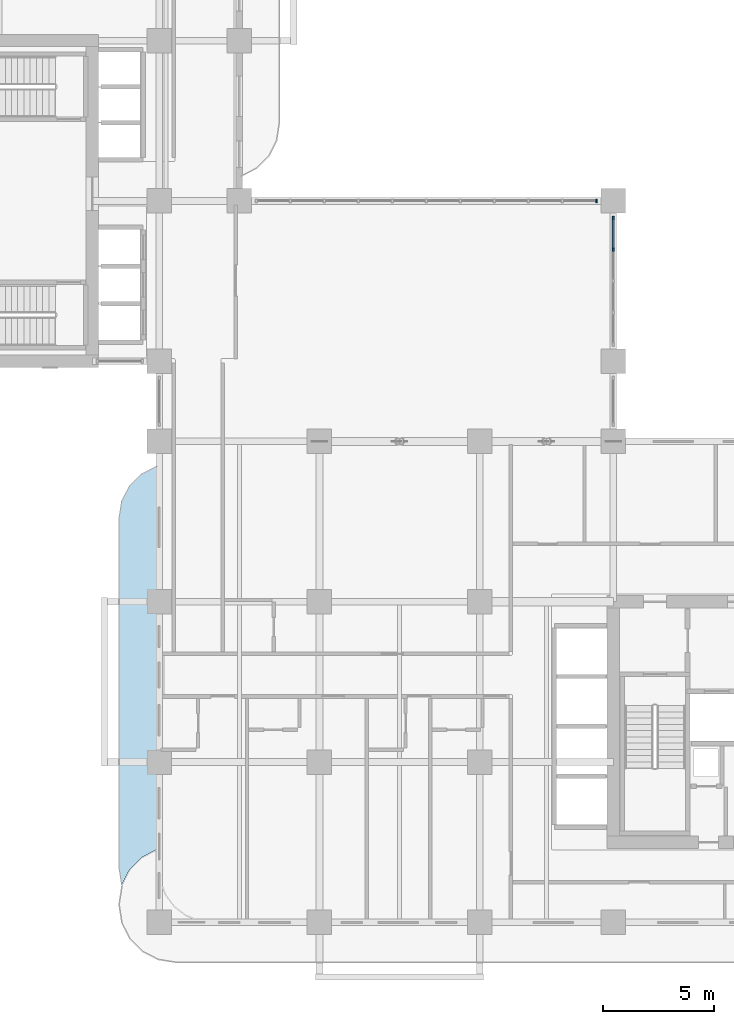
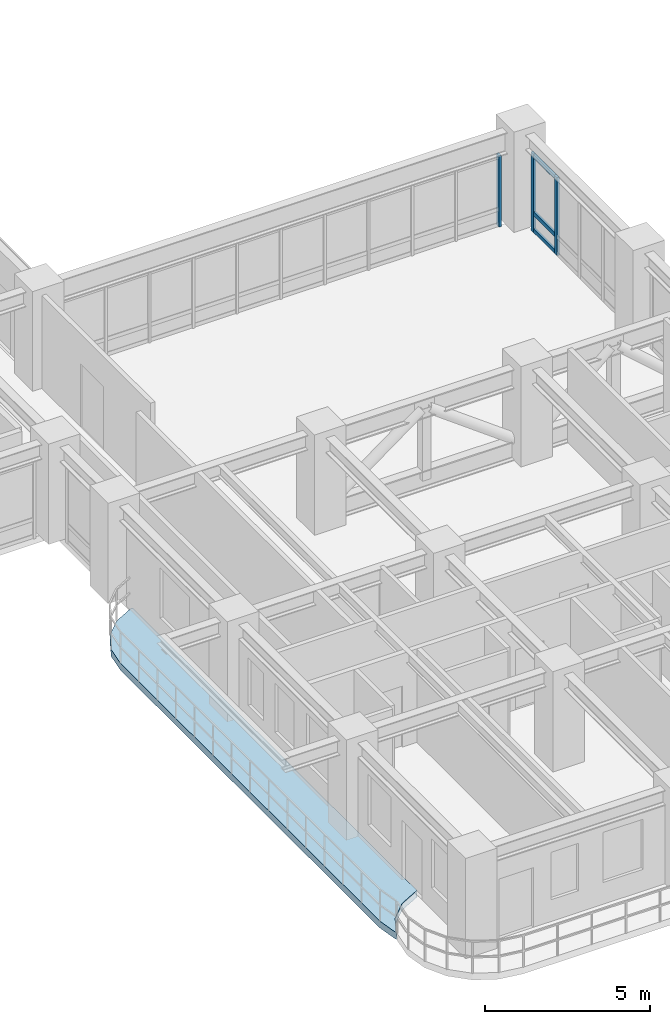
# One storey, part 7 of 21: 6 members, 1 slab, 2 elements without a shape of their own.
"""IFC4 building model written with IfcOpenShell, lengths in metres."""

from ifc_helpers import new_model, si_unit, derived_unit, direction, frame, origin, origin_2d, place, context, subcontext, project, spatial, polyline, rectangle, outline, extrude, source, transform, mapped, material, layer, layer_set, material_profile, profile_set, type_object, element, aggregate, save


model = new_model("IFC4")

# Units and contexts
model_context = context("Model", 3, precision=1e-05, world=origin(), true_north=direction((0.0, 1.0)))
body_context = subcontext(model_context, "Body", "Model", "MODEL_VIEW")
ifc_project = project(units=[si_unit("LENGTHUNIT", "METRE"), si_unit("AREAUNIT", "SQUARE_METRE"), si_unit("VOLUMEUNIT", "CUBIC_METRE"), si_unit("PLANEANGLEUNIT", "RADIAN"), si_unit("MASSUNIT", "GRAM", prefix="KILO"), si_unit("THERMODYNAMICTEMPERATUREUNIT", "KELVIN"), si_unit("POWERUNIT", "WATT"), derived_unit("THERMALTRANSMITTANCEUNIT", [(si_unit("POWERUNIT", "WATT"), 1), (si_unit("AREAUNIT", "SQUARE_METRE"), -1), (si_unit("THERMODYNAMICTEMPERATUREUNIT", "KELVIN"), -1)])], contexts=[model_context])

# Site, building, storey
site_placement = place(None, origin())
site = spatial("IfcSite", under=ifc_project, at=site_placement, CompositionType="ELEMENT")
building_placement = place(site_placement, origin())
building = spatial("IfcBuilding", under=site, at=building_placement, Name="Zahravan Archway Hotel and Residences", CompositionType="ELEMENT")
storey_placement = place(building_placement, frame((0.0, 0.0, 65.699951171875)))
storey = spatial("IfcBuildingStorey", under=building, at=storey_placement, Name="L15", CompositionType="ELEMENT", Elevation=65.699951171875)

# Curtain wall, members
ifc_material_1 = material(Name="Bronze-Anodized Unitised Aluminium & Low-E Glass", Category="aluminium")
ifc_layer_1 = layer(ifc_material_1, 0.179931640625, Name="Bronze-Anodized Unitised Aluminium & Low-E Glass", Category="aluminium")
ifc_layer_set_1 = layer_set([ifc_layer_1], Name="Bronze-Anodized Unitised Aluminium & Low-E Glass")
curtain_wall_type = type_object("IfcCurtainWallType", Name="CW-SBG-1", PredefinedType="NOTDEFINED", material=ifc_layer_set_1)
curtain_wall_1_placement = place(storey_placement, origin())
curtain_wall_1 = element("IfcCurtainWall", 1, at=curtain_wall_1_placement, inside=storey, type_object=curtain_wall_type, Name="L15 Curtain Wall CW-L15-HNG-E-2", PredefinedType="NOTDEFINED")
ifc_material_2 = material(Name="Bronze-Anodized Extruded Aluminium", Category="aluminium")
ifc_material_profile_1 = material_profile(ifc_material_2, rectangle(XDim=0.080078125, YDim=0.139892578125, at=origin_2d()), Name="TRN 80x140", Category="aluminium")
ifc_profile_set_1 = profile_set([ifc_material_profile_1], Name="Bronze-Anodized Extruded Aluminium")
member_type_1 = type_object("IfcMemberType", Name="CWM-TRN-140", PredefinedType="USERDEFINED", material=ifc_profile_set_1)
shared_shape_1 = source(origin(), body_context, "Body", "SweptSolid", [
    extrude(rectangle(XDim=0.080078125, YDim=0.139892578125, at=origin_2d()), origin(), (0.0, 0.0, 1.0), 1.340087890625),
])
member_1_placement = place(storey_placement, frame((34.800048828125, 30.260009765625, 0.070068359375), z_axis=(0.0, 1.0, 0.0), x_axis=(-1.0, 0.0, 0.0)))
member_1 = element("IfcMember", 2, at=member_1_placement, type_object=member_type_1, Name="CW-L15-HNG-E-2 Transom 3-1", ObjectType="TRANSOM", PredefinedType="USERDEFINED", context=body_context, shape_type="MappedRepresentation", body=[
    mapped(shared_shape_1, transform((0.0, 0.0, 0.0), scale=1.0)),
])
member_2_placement = place(storey_placement, frame((34.800048828125, 30.260009765625, 0.6923828125), z_axis=(0.0, 1.0, 0.0), x_axis=(-1.0, 0.0, 0.0)))
member_2 = element("IfcMember", 3, at=member_2_placement, type_object=member_type_1, Name="CW-L15-HNG-E-2 Transom 3-2", ObjectType="TRANSOM", PredefinedType="USERDEFINED", context=body_context, shape_type="MappedRepresentation", body=[
    mapped(shared_shape_1, transform((0.0, 0.0, 0.0), scale=1.0)),
])
member_3_placement = place(storey_placement, frame((34.800048828125, 30.260009765625, 2.81494140625), z_axis=(0.0, 1.0, 0.0), x_axis=(-1.0, 0.0, 0.0)))
member_3 = element("IfcMember", 4, at=member_3_placement, type_object=member_type_1, Name="CW-L15-HNG-E-2 Transom 3-3", ObjectType="TRANSOM", PredefinedType="USERDEFINED", context=body_context, shape_type="MappedRepresentation", body=[
    mapped(shared_shape_1, transform((0.0, 0.0, 0.0), scale=1.0)),
])
ifc_material_profile_2 = material_profile(ifc_material_2, rectangle(XDim=0.080078125, YDim=0.159912109375, at=origin_2d()), Name="MUL 80x160", Category="aluminium")
ifc_profile_set_2 = profile_set([ifc_material_profile_2], Name="Bronze-Anodized Extruded Aluminium")
member_type_2 = type_object("IfcMemberType", Name="CWM-MUL-160", PredefinedType="MULLION", material=ifc_profile_set_2)
shared_shape_2 = source(origin(), body_context, "Body", "SweptSolid", [
    extrude(rectangle(XDim=0.080078125, YDim=0.159912109375, at=origin_2d()), origin(), (0.0, 0.0, 1.0), 2.885009765625),
])
member_4_placement = place(storey_placement, frame((34.800048828125, 30.219970703125, 0.0), z_axis=(0.0, 0.0, 1.0), x_axis=(1.0, 0.0, 0.0)))
member_4 = element("IfcMember", 5, at=member_4_placement, type_object=member_type_2, Name="CW-L15-HNG-E-2 Mullion 3", PredefinedType="MULLION", context=body_context, shape_type="MappedRepresentation", body=[
    mapped(shared_shape_2, transform((0.0, 0.0, 0.0), scale=1.0)),
])
member_5_placement = place(storey_placement, frame((34.800048828125, 31.639892578125, 0.0), z_axis=(0.0, 0.0, 1.0), x_axis=(1.0, 0.0, 0.0)))
member_5 = element("IfcMember", 6, at=member_5_placement, type_object=member_type_2, Name="CW-L15-HNG-E-2 Mullion 4", PredefinedType="MULLION", context=body_context, shape_type="MappedRepresentation", body=[
    mapped(shared_shape_2, transform((0.0, 0.0, 0.0), scale=1.0)),
])
aggregate(curtain_wall_1, [member_4, member_5, member_1, member_2, member_3])

# Curtain wall, member
curtain_wall_2_placement = place(storey_placement, origin())
curtain_wall_2 = element("IfcCurtainWall", 7, at=curtain_wall_2_placement, inside=storey, type_object=curtain_wall_type, Name="L15 Curtain Wall CW-L15-HNG-N-1", PredefinedType="NOTDEFINED")
shared_shape_3 = source(origin(), body_context, "Body", "SweptSolid", [
    extrude(rectangle(XDim=0.080078125, YDim=0.159912109375, at=origin_2d()), origin(), (0.0, 0.0, 1.0), 2.635009765625),
])
member_6_placement = place(storey_placement, frame((34.0400390625, 32.39990234375, 0.0), z_axis=(0.0, 0.0, 1.0), x_axis=(1.0, 0.0, 0.0)))
member_6 = element("IfcMember", 8, at=member_6_placement, type_object=member_type_2, Name="CW-L15-HNG-N-1 Mullion 10", PredefinedType="MULLION", context=body_context, shape_type="MappedRepresentation", body=[
    mapped(shared_shape_3, transform((0.0, 0.0, 0.0), scale=1.0)),
])
aggregate(curtain_wall_2, [member_6])

# Slab
ifc_material_3 = material(Name="Concrete C45/55", Category="concrete")
ifc_layer_2 = layer(ifc_material_3, 0.25, Name="Concrete C45/55", Category="concrete")
ifc_layer_set_2 = layer_set([ifc_layer_2], Name="Concrete C45/55")
slab_type = type_object("IfcSlabType", Name="SLB-BALC-250", PredefinedType="FLOOR", material=ifc_layer_set_2)
slab_placement = place(storey_placement, frame((0.0, 0.0, -0.25)))
element("IfcSlab", 9, at=slab_placement, inside=storey, type_object=slab_type, Name="L15 Wing A West Rounded Balcony Band", PredefinedType="FLOOR", context=body_context, shape_type="SweptSolid", body=[
    extrude(outline(polyline([(12.719970703125, 1.69287109375), (12.60009765625, 2.449951171875), (12.60009765625, 18.14990234375), (12.719970703125, 18.906982421875), (13.06787109375, 19.590087890625), (13.60986328125, 20.132080078125), (14.29296875, 20.47998046875), (14.3798828125, 20.493896484375), (14.3798828125, 3.298095703125), (14.37890625, 3.298095703125), (14.376953125, 3.2978515625), (14.35888671875, 3.294921875), (14.356689453125, 3.29443359375), (14.354736328125, 3.2939453125), (14.352783203125, 3.29296875), (13.64208984375, 2.930908203125), (13.64013671875, 2.9296875), (13.638427734375, 2.928466796875), (13.636962890625, 2.927001953125), (13.072998046875, 2.363037109375), (13.071533203125, 2.361572265625), (13.0703125, 2.35986328125), (13.069091796875, 2.35791015625), (12.72509765625, 1.6826171875), (12.719970703125, 1.69287109375)])), origin(), (0.0, 0.0, 1.0), 0.25),
])

save(model, "model.ifc")
